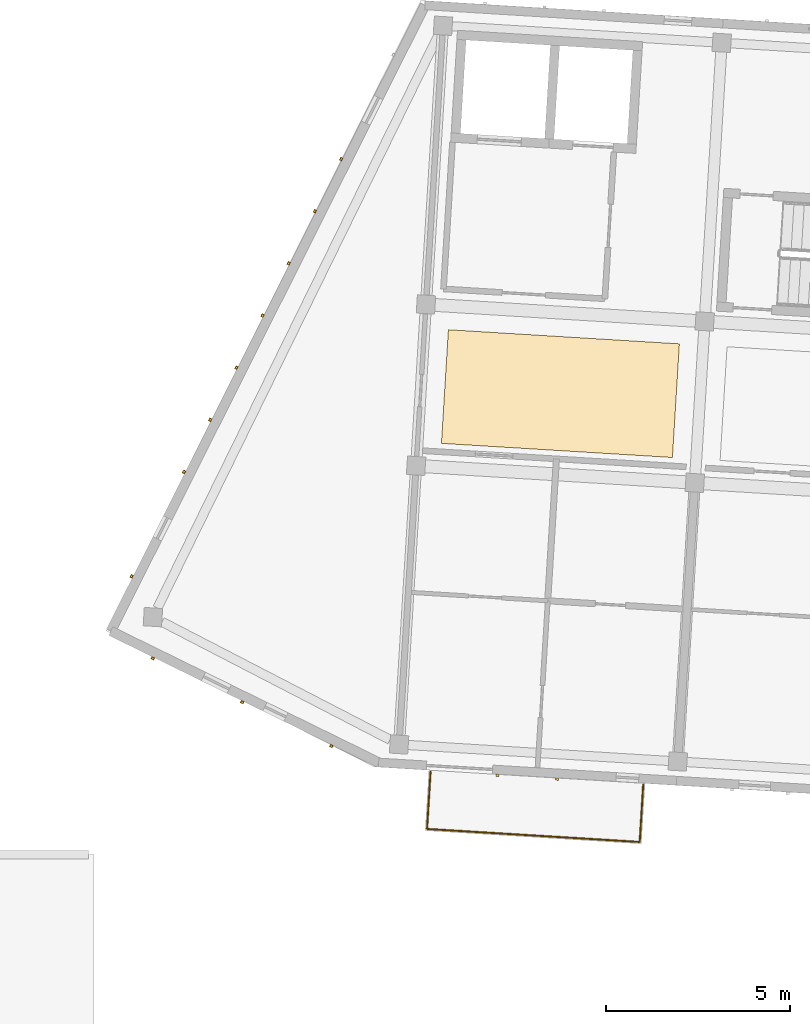
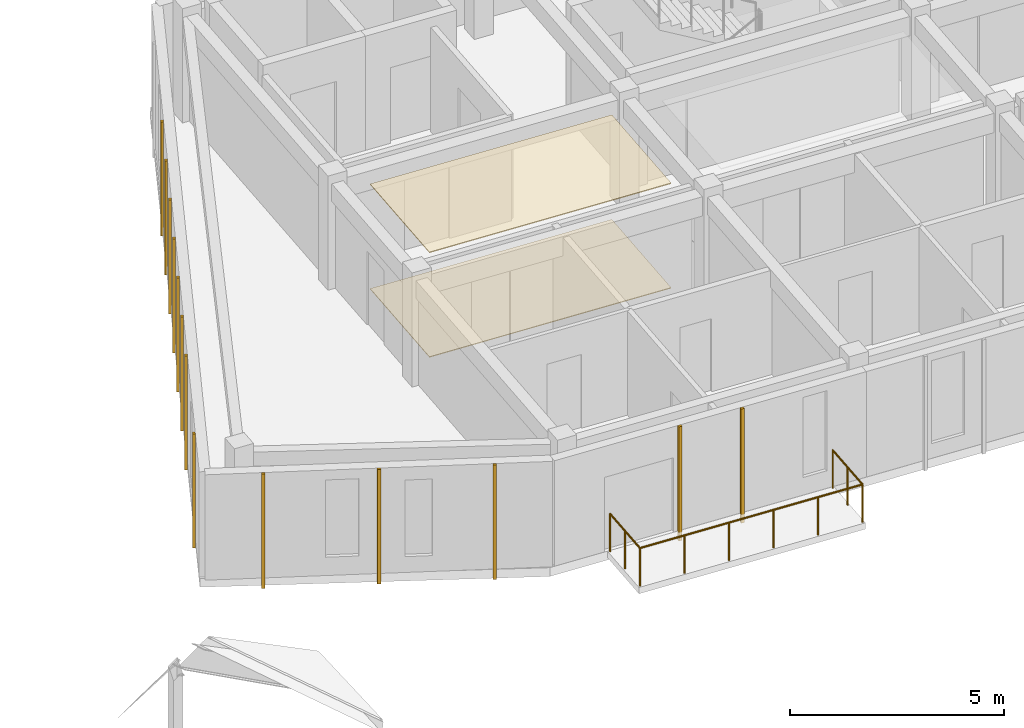
# One storey, part 97 of 127: 15 coverings, 1 railing.
"""IFC4 building model written with IfcOpenShell, lengths in metres."""

import ifcopenshell
import ifcopenshell.guid

model = None  # the IFC model being written
_history = None  # IfcOwnerHistory: only IFC2X3 demands one
_inside = {}  # id of a spatial element -> (the spatial element, [elements in it])
_under = {}  # id of a project, library or spatial element -> (it, [spatial elements below it])
_declared = {}  # id of a project -> (the project, [libraries it declares])
_typed = {}  # id of a type object -> (the type object, [elements of that type])
_made_of = {}  # id of a material, layer set ... -> (it, [elements and type objects made of it])


def new_model(schema):
    """Start an empty IFC model of exactly this schema.

    Asked for "IFC4X3", IfcOpenShell would pick the latest addendum, in which some entities
    have other attributes; the version numbers below select the first issue.
    IFC2X3 requires an IfcOwnerHistory on every rooted entity: one is made here for all.
    """
    global model, _history
    if schema == "IFC4X3":
        model = ifcopenshell.file(schema_version=(4, 3, 0, 0))
    else:
        model = ifcopenshell.file(schema=schema)
    _inside.clear()
    _under.clear()
    _declared.clear()
    _typed.clear()
    _made_of.clear()
    _history = None
    if model.schema == "IFC2X3":
        org = make("IfcOrganization", Name="unknown")
        user = make(
            "IfcPersonAndOrganization",
            ThePerson=make("IfcPerson", FamilyName="unknown"),
            TheOrganization=org,
        )
        app = make(
            "IfcApplication",
            ApplicationDeveloper=org,
            Version="unknown",
            ApplicationFullName="unknown",
            ApplicationIdentifier="unknown",
        )
        _history = make(
            "IfcOwnerHistory",
            OwningUser=user,
            OwningApplication=app,
            ChangeAction="ADDED",
            CreationDate=0,
        )
    return model


def make(cls, **values):
    """One entity of the class cls with the attributes given. An attribute that is None is left unset."""
    return model.create_entity(
        cls, **{name: value for name, value in values.items() if value is not None}
    )


def rooted(cls, **values):
    """An entity with a GlobalId (a new one), such as an element, a storey or a relation."""
    return make(cls, GlobalId=ifcopenshell.guid.new(), OwnerHistory=_history, **values)


def si_unit(unit_type, name, prefix=None):
    """IfcSIUnit, for example si_unit("LENGTHUNIT", "METRE", prefix="MILLI")."""
    return make("IfcSIUnit", UnitType=unit_type, Prefix=prefix, Name=name)


def assignment(units):
    """IfcUnitAssignment: the units of a project."""
    return None if units is None else make("IfcUnitAssignment", Units=units)


def point(xyz):
    """IfcCartesianPoint."""
    return None if xyz is None else make("IfcCartesianPoint", Coordinates=xyz)


def direction(xyz):
    """IfcDirection."""
    return None if xyz is None else make("IfcDirection", DirectionRatios=xyz)


def frame(location, z_axis=None, x_axis=None):
    """IfcAxis2Placement3D, a coordinate frame: its origin and axes. An axis left out is left unset."""
    return make(
        "IfcAxis2Placement3D",
        Location=point(location),
        Axis=direction(z_axis),
        RefDirection=direction(x_axis),
    )


def frame_2d(location, x_axis=None):
    """IfcAxis2Placement2D, a coordinate frame in the plane: its origin and x axis."""
    return make(
        "IfcAxis2Placement2D", Location=point(location), RefDirection=direction(x_axis)
    )


def origin():
    """The frame at (0, 0, 0) with its axes left unset."""
    return frame((0.0, 0.0, 0.0))


def origin_2d():
    """The frame at (0, 0) in the plane with its x axis left unset."""
    return frame_2d((0.0, 0.0))


def place(relative_to, where):
    """IfcLocalPlacement: puts the frame where relative to a parent placement (None: the world)."""
    return make(
        "IfcLocalPlacement", PlacementRelTo=relative_to, RelativePlacement=where
    )


def context(
    kind, dimensions, precision=None, world=None, true_north=None, identifier=None
):
    """IfcGeometricRepresentationContext, for example the 3D "Model" context."""
    return make(
        "IfcGeometricRepresentationContext",
        ContextIdentifier=identifier,
        ContextType=kind,
        CoordinateSpaceDimension=dimensions,
        Precision=precision,
        WorldCoordinateSystem=world,
        TrueNorth=true_north,
    )


def subcontext(parent, identifier, kind, view, scale=None):
    """IfcGeometricRepresentationSubContext, for example "Body" below "Model"."""
    return make(
        "IfcGeometricRepresentationSubContext",
        ContextIdentifier=identifier,
        ContextType=kind,
        ParentContext=parent,
        TargetScale=scale,
        TargetView=view,
    )


def project(units=None, contexts=None):
    """IfcProject with its units and contexts."""
    return rooted(
        "IfcProject",
        Name="project",
        RepresentationContexts=contexts,
        UnitsInContext=assignment(units),
    )


def spatial(cls, under=None, at=None, **own):
    """A site, building, storey or space (cls), placed at a placement, below another one or the project."""
    s = rooted(cls, ObjectPlacement=at, **own)
    if under is not None:
        _under.setdefault(under.id(), (under, []))[1].append(s)
    return s


def polyline(points):
    """IfcPolyline through the points."""
    return make("IfcPolyline", Points=[point(p) for p in points])


def profile(cls, at=None, kind="AREA", **sizes):
    """A parametric profile (cls). Its sizes go by their IFC names, for example OverallWidth=200.0."""
    return make(cls, ProfileType=kind, Position=at, **sizes)


def rectangle(**sizes):
    """IfcRectangleProfileDef."""
    return profile("IfcRectangleProfileDef", **sizes)


def circle(**sizes):
    """IfcCircleProfileDef."""
    return profile("IfcCircleProfileDef", **sizes)


def outline(outer, holes=None, kind="AREA"):
    """IfcArbitraryClosedProfileDef: a profile drawn as a closed curve; with holes, ...WithVoids."""
    if holes is None:
        return make("IfcArbitraryClosedProfileDef", ProfileType=kind, OuterCurve=outer)
    return make(
        "IfcArbitraryProfileDefWithVoids",
        ProfileType=kind,
        OuterCurve=outer,
        InnerCurves=holes,
    )


def extrude(swept, where, along, depth):
    """IfcExtrudedAreaSolid: the profile swept, set in the frame where, extruded along a direction by depth."""
    return make(
        "IfcExtrudedAreaSolid",
        SweptArea=swept,
        Position=where,
        ExtrudedDirection=direction(along),
        Depth=depth,
    )


def shape(context_of_items, identifier, shape_type, items):
    """IfcShapeRepresentation: the items that make up one representation, for example the "Body"."""
    return make(
        "IfcShapeRepresentation",
        ContextOfItems=context_of_items,
        RepresentationIdentifier=identifier,
        RepresentationType=shape_type,
        Items=items,
    )


def material(Name=None, Category=None):
    """IfcMaterial."""
    return make("IfcMaterial", Name=Name, Category=Category)


def layer(
    of_material, thickness, ventilated=None, Name=None, Category=None, Priority=None
):
    """IfcMaterialLayer: one layer of a wall or slab, of a material (None: an air gap)."""
    return make(
        "IfcMaterialLayer",
        Material=of_material,
        LayerThickness=thickness,
        IsVentilated=ventilated,
        Name=Name,
        Category=Category,
        Priority=Priority,
    )


def layer_set(layers, Name=None):
    """IfcMaterialLayerSet."""
    return make("IfcMaterialLayerSet", MaterialLayers=layers, LayerSetName=Name)


def made_of(thing, what):
    """Note that an element or type object is made of a material, layer set ...; save() writes the relation."""
    if what is not None:
        _made_of.setdefault(what.id(), (what, []))[1].append(thing)
    return thing


def type_object(cls, material=None, **own):
    """A type object (cls), such as IfcWallType, which elements share."""
    return made_of(rooted(cls, **own), material)


def element(
    cls,
    number,
    at=None,
    inside=None,
    cuts=None,
    type_object=None,
    material=None,
    context=None,
    identifier="Body",
    shape_type=None,
    held_by="IfcProductDefinitionShape",
    body=None,
    shapes=None,
    **own,
):
    """One element of the class cls, such as IfcWall. Its Tag is "e" and its number.

    at: its placement. inside: the storey or other place that contains it. cuts: it is an
    opening in that element (IfcRelVoidsElement). A single representation is given by context,
    identifier, shape_type and body (its items); several are given by shapes. held_by: the class
    of the entity that holds the representations. save() writes the other relations.
    """
    e = rooted(cls, Tag="e%d" % number, ObjectPlacement=at, **own)
    if body is not None:
        shapes = [shape(context, identifier, shape_type, body)]
    if shapes is not None:
        e.Representation = make(held_by, Representations=shapes)
    if inside is not None:
        _inside.setdefault(inside.id(), (inside, []))[1].append(e)
    if cuts is not None:
        rooted(
            "IfcRelVoidsElement", RelatingBuildingElement=cuts, RelatedOpeningElement=e
        )
    if type_object is not None:
        _typed.setdefault(type_object.id(), (type_object, []))[1].append(e)
    return made_of(e, material)


def aggregate(whole, parts):
    """IfcRelAggregates: a whole, such as a stair, and the parts it consists of."""
    return rooted("IfcRelAggregates", RelatingObject=whole, RelatedObjects=parts)


def save(model, path):
    """Write the relations noted so far, then the file.

    IfcRelAggregates (storeys below a building ...), IfcRelContainedInSpatialStructure (elements
    in a storey), IfcRelDefinesByType, IfcRelAssociatesMaterial and IfcRelDeclares: one each for
    every whole, place, type object, material and project.
    """
    for whole, parts in _under.values():
        aggregate(whole, parts)
    for where, things in _inside.values():
        rooted(
            "IfcRelContainedInSpatialStructure",
            RelatedElements=things,
            RelatingStructure=where,
        )
    for kind, things in _typed.values():
        rooted("IfcRelDefinesByType", RelatedObjects=things, RelatingType=kind)
    for what, things in _made_of.values():
        rooted("IfcRelAssociatesMaterial", RelatedObjects=things, RelatingMaterial=what)
    for by, libraries in _declared.values():
        rooted("IfcRelDeclares", RelatingContext=by, RelatedDefinitions=libraries)
    model.write(path)


model = new_model("IFC4")

# Units and contexts
model_context = context("Model", 3, precision=1e-05, world=origin(), true_north=direction((0.0, 1.0)))
body_context = subcontext(model_context, "Body", "Model", "MODEL_VIEW")
ifc_project = project(units=[si_unit("LENGTHUNIT", "METRE"), si_unit("AREAUNIT", "SQUARE_METRE"), si_unit("VOLUMEUNIT", "CUBIC_METRE"), si_unit("PLANEANGLEUNIT", "RADIAN"), si_unit("MASSUNIT", "GRAM", prefix="KILO")], contexts=[model_context])

# Site, building, storey
site_placement = place(None, origin())
site = spatial("IfcSite", under=ifc_project, at=site_placement, CompositionType="ELEMENT")
building_placement = place(site_placement, origin())
building = spatial("IfcBuilding", under=site, at=building_placement, Name="Kestramere Prow Commons", CompositionType="ELEMENT")
storey_placement = place(building_placement, frame((0.0, 0.0, 8.39990234375)))
storey = spatial("IfcBuildingStorey", under=building, at=storey_placement, Name="L02", CompositionType="ELEMENT", Elevation=8.39990234375)

# Coverings
ifc_material_1 = material(Name="Mineral Fibre Acoustic Ceiling Tile")
ifc_layer_1 = layer(ifc_material_1, 0.02490234375)
ifc_layer_set_1 = layer_set([ifc_layer_1], Name="Mineral Fibre Acoustic Ceiling Tile")
covering_type_1 = type_object("IfcCoveringType", Name="COV-CEIL-ACOUSTIC", PredefinedType="CEILING", material=ifc_layer_set_1)
covering_1_placement = place(storey_placement, frame((0.0, 0.0, 2.97509765625)))
element("IfcCovering", 1, at=covering_1_placement, inside=storey, type_object=covering_type_1, Name="Block C L02 Corridor Acoustic Ceiling 1", PredefinedType="CEILING", context=body_context, shape_type="SweptSolid", body=[
    extrude(outline(polyline([(60.65234375, 54.69482421875), (66.940673828125, 54.310302734375), (67.1298828125, 57.404541015625), (60.841796875, 57.7890625), (60.65234375, 54.69482421875)])), origin(), (0.0, 0.0, 1.0), 0.02490234375),
])
ifc_material_2 = material(Name="Weathered Zinc-Titanium Standing-Seam Cladding")
ifc_layer_2 = layer(ifc_material_2, 0.074951171875)
ifc_layer_set_2 = layer_set([ifc_layer_2], Name="Weathered Zinc-Titanium Standing-Seam Cladding")
covering_type_2 = type_object("IfcCoveringType", Name="COV-CLAD-SEAM", PredefinedType="CLADDING", material=ifc_layer_set_2)
for number, where, z_axis, x_axis, name in (
    (2, (63.800537109375, 45.55810546875, -0.25), (0.0, 0.0, 1.0), (-0.998134798422, 0.061048539535, 0.0), "EW-C-L02-S-0 Standing-Seam Rib 2"),
    (3, (62.178466796875, 45.657470703125, -0.25), (0.0, 0.0, 1.0), (-0.998134798422, 0.061048539535, 0.0), "EW-C-L02-S-0 Standing-Seam Rib 3"),
    (4, (57.6572265625, 46.458251953125, -0.25), (0.0, 0.0, 1.0), (-0.897770965065, 0.440462591245, 0.0), "EW-C-L02-PRW-S Standing-Seam Rib 1"),
    (5, (55.227294921875, 47.650390625, -0.25), (0.0, 0.0, 1.0), (-0.897770965065, 0.440462591245, 0.0), "EW-C-L02-PRW-S Standing-Seam Rib 3"),
    (6, (52.797119140625, 48.8427734375, -0.25), (0.0, 0.0, 1.0), (-0.897770965065, 0.440462591245, 0.0), "EW-C-L02-PRW-S Standing-Seam Rib 5"),
    (7, (52.220947265625, 51.0771484375, -0.25), (0.0, 0.0, 1.0), (0.448620327542, 0.893722441095, 0.0), "EW-C-L02-PRW-N Standing-Seam Rib 1"),
    (8, (53.646240234375, 53.916259765625, -0.25), (0.0, 0.0, 1.0), (0.448620327542, 0.893722441095, 0.0), "EW-C-L02-PRW-N Standing-Seam Rib 3"),
    (9, (54.358642578125, 55.3359375, -0.25), (0.0, 0.0, 1.0), (0.448620327542, 0.893722441095, 0.0), "EW-C-L02-PRW-N Standing-Seam Rib 4"),
    (10, (55.0712890625, 56.75537109375, -0.25), (0.0, 0.0, 1.0), (0.448620327542, 0.893722441095, 0.0), "EW-C-L02-PRW-N Standing-Seam Rib 5"),
    (11, (55.783935546875, 58.175048828125, -0.25), (0.0, 0.0, 1.0), (0.448620327542, 0.893722441095, 0.0), "EW-C-L02-PRW-N Standing-Seam Rib 6"),
    (12, (56.49658203125, 59.594482421875, -0.25), (0.0, 0.0, 1.0), (0.448620327542, 0.893722441095, 0.0), "EW-C-L02-PRW-N Standing-Seam Rib 7"),
    (13, (57.208984375, 61.01416015625, -0.25), (0.0, 0.0, 1.0), (0.448620327542, 0.893722441095, 0.0), "EW-C-L02-PRW-N Standing-Seam Rib 8"),
    (14, (57.921630859375, 62.433837890625, -0.25), (0.0, 0.0, 1.0), (0.448620327542, 0.893722441095, 0.0), "EW-C-L02-PRW-N Standing-Seam Rib 9"),
):
    element("IfcCovering", number, at=place(storey_placement, frame(where, z_axis=z_axis, x_axis=x_axis)), inside=storey, type_object=covering_type_2, Name=name, PredefinedType="CLADDING", context=body_context, shape_type="SweptSolid", body=[
        extrude(rectangle(XDim=0.0849609375, YDim=0.06494140625, at=origin_2d()), origin(), (0.0, 0.0, 1.0), 3.25),
    ])
ifc_material_3 = material(Name="Honed Cementitious Terrazzo Tile")
ifc_layer_3 = layer(ifc_material_3, 0.02001953125)
ifc_layer_set_3 = layer_set([ifc_layer_3], Name="Honed Cementitious Terrazzo Tile")
covering_type_3 = type_object("IfcCoveringType", Name="COV-FLOOR-TERRAZZO", PredefinedType="FLOORING", material=ifc_layer_set_3)
covering_2_placement = place(storey_placement, origin())
element("IfcCovering", 15, at=covering_2_placement, inside=storey, type_object=covering_type_3, Name="Block C L02 Corridor Terrazzo Flooring 1", PredefinedType="FLOORING", context=body_context, shape_type="SweptSolid", body=[
    extrude(outline(polyline([(60.65234375, 54.69482421875), (66.940673828125, 54.310302734375), (67.1298828125, 57.404541015625), (60.841796875, 57.7890625), (60.65234375, 54.69482421875)])), origin(), (0.0, 0.0, 1.0), 0.02001953125),
])

# Railing
ifc_material_4 = material(Name="Powder-Coated Aluminium 6063-T6", Category="aluminium")
railing_type = type_object("IfcRailingType", Name="GRD-BALC-1100", PredefinedType="BALUSTRADE", material=ifc_material_4)
railing_placement = place(storey_placement, frame((60.356201171875, 45.75634765625, 0.0)))
element("IfcRailing", 16, at=railing_placement, inside=storey, type_object=railing_type, Name="Block C L02 Balcony Guardrail 1", PredefinedType="BALUSTRADE", context=body_context, shape_type="SweptSolid", body=[
    extrude(circle(Radius=0.02392578125, at=origin_2d()), frame((0.0, 0.0, 1.076171875), z_axis=(-0.061033697925, -0.998135706063, 0.0), x_axis=(0.998135706063, -0.061033697925, 0.0)), (0.0, 0.0, 1.0), 1.56005859375),
    extrude(circle(Radius=0.02392578125, at=origin_2d()), frame((-0.09521484375, -1.55712890625, 1.076171875), z_axis=(0.998135537192, -0.061036459553, 0.0), x_axis=(0.061036459553, 0.998135537192, 0.0)), (0.0, 0.0, 1.0), 5.7998046875),
    extrude(circle(Radius=0.02392578125, at=origin_2d()), frame((5.69384765625, -1.9111328125, 1.076171875), z_axis=(0.061033697925, 0.998135706063, 0.0), x_axis=(-0.998135706063, 0.061033697925, 0.0)), (0.0, 0.0, 1.0), 1.56005859375),
    extrude(circle(Radius=0.02099609375, at=origin_2d()), origin(), (0.0, 0.0, 1.0), 1.052001953125),
    extrude(circle(Radius=0.02099609375, at=origin_2d()), frame((-0.047607421875, -0.778564453125, 0.0)), (0.0, 0.0, 1.0), 1.052001953125),
    extrude(circle(Radius=0.02099609375, at=origin_2d()), frame((-0.09521484375, -1.55712890625, 0.0)), (0.0, 0.0, 1.0), 1.052001953125),
    extrude(circle(Radius=0.02099609375, at=origin_2d()), frame((1.0625, -1.6279296875, 0.0)), (0.0, 0.0, 1.0), 1.052001953125),
    extrude(circle(Radius=0.02099609375, at=origin_2d()), frame((2.220458984375, -1.69873046875, 0.0)), (0.0, 0.0, 1.0), 1.052001953125),
    extrude(circle(Radius=0.02099609375, at=origin_2d()), frame((3.378173828125, -1.76953125, 0.0)), (0.0, 0.0, 1.0), 1.052001953125),
    extrude(circle(Radius=0.02099609375, at=origin_2d()), frame((4.5361328125, -1.84033203125, 0.0)), (0.0, 0.0, 1.0), 1.052001953125),
    extrude(circle(Radius=0.02099609375, at=origin_2d()), frame((5.69384765625, -1.9111328125, 0.0)), (0.0, 0.0, 1.0), 1.052001953125),
    extrude(circle(Radius=0.02099609375, at=origin_2d()), frame((5.741455078125, -1.132568359375, 0.0)), (0.0, 0.0, 1.0), 1.052001953125),
    extrude(circle(Radius=0.02099609375, at=origin_2d()), frame((5.7890625, -0.35400390625, 0.0)), (0.0, 0.0, 1.0), 1.052001953125),
])

save(model, "model.ifc")
